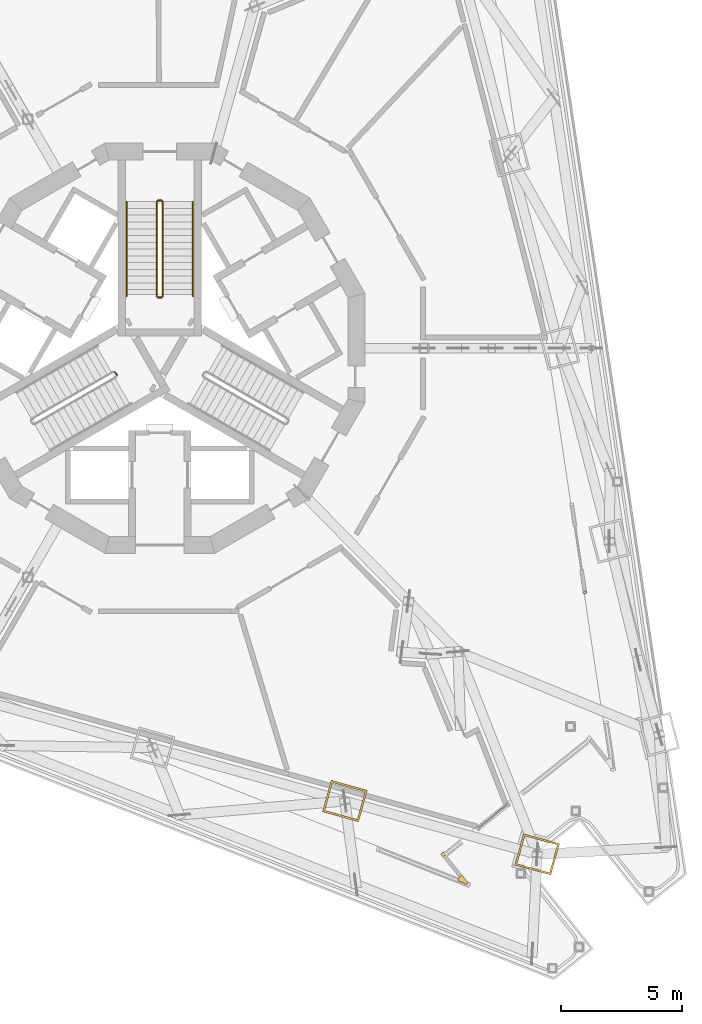
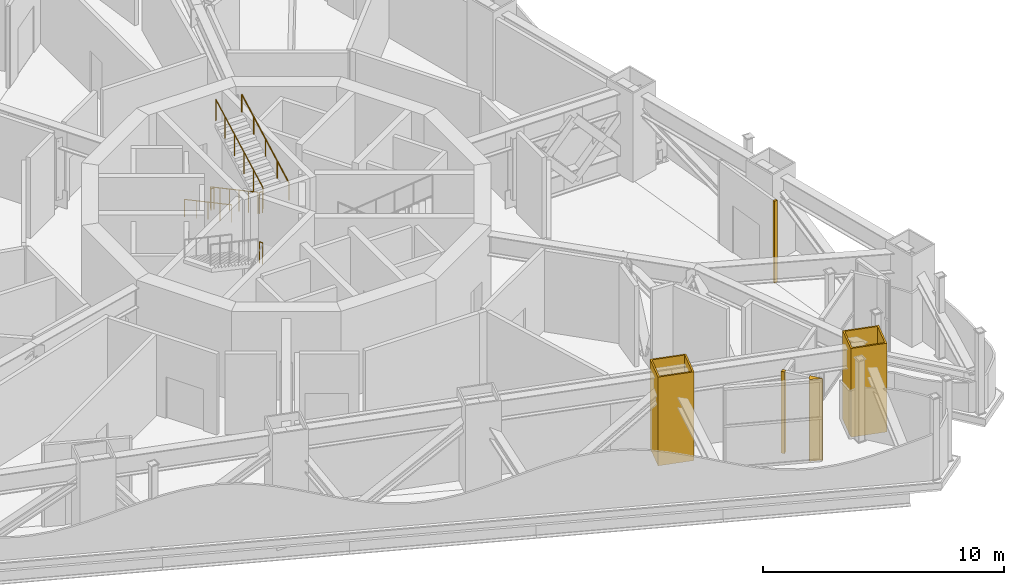
# One storey, part 23 of 27: 7 railings, 5 coverings.
"""IFC4 building model written with IfcOpenShell, lengths in metres."""

from ifc_helpers import new_model, si_unit, direction, frame, origin, origin_2d, place, context, subcontext, project, spatial, polyline, circle, outline, extrude, material, layer, layer_set, type_object, element, save


model = new_model("IFC4")

# Units and contexts
model_context = context("Model", 3, precision=1e-05, world=origin(), true_north=direction((0.0, 1.0)))
body_context = subcontext(model_context, "Body", "Model", "MODEL_VIEW")
ifc_project = project(units=[si_unit("LENGTHUNIT", "METRE"), si_unit("AREAUNIT", "SQUARE_METRE"), si_unit("VOLUMEUNIT", "CUBIC_METRE"), si_unit("PLANEANGLEUNIT", "RADIAN"), si_unit("MASSUNIT", "GRAM", prefix="KILO")], contexts=[model_context])

# Site, building, storey
site_placement = place(None, origin())
site = spatial("IfcSite", under=ifc_project, at=site_placement, CompositionType="ELEMENT")
building_placement = place(site_placement, origin())
building = spatial("IfcBuilding", under=site, at=building_placement, Name="Trine Commons Tower", CompositionType="ELEMENT")
storey_placement = place(building_placement, frame((0.0, 0.0, 230.39990234375)))
storey = spatial("IfcBuildingStorey", under=building, at=storey_placement, Name="L60", CompositionType="ELEMENT", Elevation=230.39990234375)

# Coverings
ifc_material_1 = material(Name="Aluminium-framed insulated wall panel", Category="aluminium")
ifc_layer_1 = layer(ifc_material_1, 0.14990234375)
ifc_layer_set_1 = layer_set([ifc_layer_1], Name="Aluminium-framed insulated wall panel")
covering_type_1 = type_object("IfcCoveringType", Name="Glazing corner post, aluminium", PredefinedType="CLADDING", material=ifc_layer_set_1)
covering_1_placement = place(storey_placement, origin())
element("IfcCovering", 1, at=covering_1_placement, inside=storey, type_object=covering_type_1, Name="Entrance wall jamb post F2 9B", PredefinedType="CLADDING", context=body_context, shape_type="SweptSolid", body=[
    extrude(outline(polyline([(97.6796875, 52.451904296875), (97.694580078125, 52.35302734375), (97.54638671875, 52.330810546875), (97.531494140625, 52.4296875), (97.6796875, 52.451904296875)])), origin(), (0.0, 0.0, 1.0), 4.150146484375),
])
covering_2_placement = place(storey_placement, origin())
element("IfcCovering", 2, at=covering_2_placement, inside=storey, type_object=covering_type_1, Name="Glazing corner post 6-08", PredefinedType="CLADDING", context=body_context, shape_type="SweptSolid", body=[
    extrude(outline(polyline([(91.726806640625, 41.42822265625), (91.843994140625, 41.521728515625), (91.750732421875, 41.63916015625), (91.63330078125, 41.545654296875), (91.726806640625, 41.42822265625)])), origin(), (0.0, 0.0, 1.0), 4.150146484375),
])
covering_3_placement = place(storey_placement, origin())
element("IfcCovering", 3, at=covering_3_placement, inside=storey, type_object=covering_type_1, Name="Glazing corner post 6-09", PredefinedType="CLADDING", context=body_context, shape_type="SweptSolid", body=[
    extrude(outline(polyline([(92.34765625, 40.439208984375), (92.868408203125, 40.23388671875), (92.52001953125, 40.672119140625), (92.402587890625, 40.57861328125), (92.34765625, 40.439208984375)])), origin(), (0.0, 0.0, 1.0), 4.150146484375),
])
ifc_material_2 = material(Name="Limestone, honed", Category="masonry")
ifc_layer_2 = layer(ifc_material_2, 0.074951171875)
ifc_layer_set_2 = layer_set([ifc_layer_2], Name="Limestone, honed")
covering_type_2 = type_object("IfcCoveringType", Name="Limestone column cladding 75", PredefinedType="CLADDING", material=ifc_layer_set_2)
covering_4_placement = place(storey_placement, origin())
element("IfcCovering", 4, at=covering_4_placement, inside=storey, type_object=covering_type_2, Name="Limestone pier cladding 7-01", PredefinedType="CLADDING", context=body_context, shape_type="SweptSolid", body=[
    extrude(outline(polyline([(95.0703125, 42.388427734375), (94.709716796875, 41.087646484375), (96.203125, 40.67333984375), (96.56396484375, 41.97412109375), (95.0703125, 42.388427734375)]), holes=[polyline([(95.12255859375, 42.296142578125), (94.802001953125, 41.139892578125), (96.15087890625, 40.765625), (96.4716796875, 41.922119140625), (95.12255859375, 42.296142578125)])]), origin(), (0.0, 0.0, 1.0), 4.5),
])
covering_5_placement = place(storey_placement, origin())
element("IfcCovering", 5, at=covering_5_placement, inside=storey, type_object=covering_type_2, Name="Limestone pier cladding 7-02", PredefinedType="CLADDING", context=body_context, shape_type="SweptSolid", body=[
    extrude(outline(polyline([(87.102294921875, 44.598388671875), (86.74169921875, 43.29736328125), (88.235107421875, 42.883056640625), (88.595947265625, 44.18408203125), (87.102294921875, 44.598388671875)]), holes=[polyline([(87.154541015625, 44.505859375), (86.833984375, 43.349609375), (88.18310546875, 42.9755859375), (88.503662109375, 44.1318359375), (87.154541015625, 44.505859375)])]), origin(), (0.0, 0.0, 1.0), 4.5),
])

# Railings
ifc_material_3 = material(Name="Stainless steel balustrade", Category="steel")
railing_type_1 = type_object("IfcRailingType", Name="Stair guard, steel balustrade 1100", PredefinedType="GUARDRAIL", material=ifc_material_3)
railing_1_placement = place(storey_placement, frame((79.875, 68.570556640625, 0.150146484375)))
element("IfcRailing", 6, at=railing_1_placement, inside=storey, type_object=railing_type_1, Name="L60 ST1C stair guard 1", PredefinedType="GUARDRAIL", context=body_context, shape_type="SweptSolid", body=[
    extrude(circle(Radius=0.02392578125, at=origin_2d()), frame((0.0, 0.0, 1.076171875), z_axis=(0.0, -0.881489763865, 0.472203130232), x_axis=(1.0, 0.0, 0.0)), (0.0, 0.0, 1.0), 4.447021484375),
    extrude(circle(Radius=0.02099609375, at=origin_2d()), origin(), (0.0, 0.0, 1.0), 1.052001953125),
    extrude(circle(Radius=0.02099609375, at=origin_2d()), frame((0.0, -0.783935546875, 0.419921875)), (0.0, 0.0, 1.0), 1.052001953125),
    extrude(circle(Radius=0.02099609375, at=origin_2d()), frame((0.0, -1.56787109375, 0.83984375)), (0.0, 0.0, 1.0), 1.052001953125),
    extrude(circle(Radius=0.02099609375, at=origin_2d()), frame((0.0, -2.35205078125, 1.260009765625)), (0.0, 0.0, 1.0), 1.052001953125),
    extrude(circle(Radius=0.02099609375, at=origin_2d()), frame((0.0, -3.135986328125, 1.679931640625)), (0.0, 0.0, 1.0), 1.052001953125),
    extrude(circle(Radius=0.02099609375, at=origin_2d()), frame((0.0, -3.919921875, 2.099853515625)), (0.0, 0.0, 1.0), 1.052001953125),
])
railing_2_placement = place(storey_placement, frame((79.925048828125, 64.6005859375, 2.25)))
element("IfcRailing", 7, at=railing_2_placement, inside=storey, type_object=railing_type_1, Name="L60 ST1C stair guard 2", PredefinedType="GUARDRAIL", context=body_context, shape_type="SweptSolid", body=[
    extrude(circle(Radius=0.02392578125, at=origin_2d()), frame((0.0, 0.0, 1.076171875), z_axis=(1.0, 0.0, 0.0), x_axis=(0.0, 1.0, 0.0)), (0.0, 0.0, 1.0), 0.14990234375),
    extrude(circle(Radius=0.02099609375, at=origin_2d()), origin(), (0.0, 0.0, 1.0), 1.052001953125),
    extrude(circle(Radius=0.02099609375, at=origin_2d()), frame((0.14990234375, 0.0, 0.0)), (0.0, 0.0, 1.0), 1.052001953125),
])
railing_3_placement = place(storey_placement, frame((80.125, 64.650634765625, 2.400146484375)))
element("IfcRailing", 8, at=railing_3_placement, inside=storey, type_object=railing_type_1, Name="L60 ST1C stair guard 3", PredefinedType="GUARDRAIL", context=body_context, shape_type="SweptSolid", body=[
    extrude(circle(Radius=0.02392578125, at=origin_2d()), frame((0.0, 0.0, 1.076171875), z_axis=(0.0, 0.881489763865, 0.472203130232), x_axis=(-1.0, 0.0, 0.0)), (0.0, 0.0, 1.0), 4.447021484375),
    extrude(circle(Radius=0.02099609375, at=origin_2d()), origin(), (0.0, 0.0, 1.0), 1.052001953125),
    extrude(circle(Radius=0.02099609375, at=origin_2d()), frame((0.0, 0.783935546875, 0.419921875)), (0.0, 0.0, 1.0), 1.052001953125),
    extrude(circle(Radius=0.02099609375, at=origin_2d()), frame((0.0, 1.56787109375, 0.83984375)), (0.0, 0.0, 1.0), 1.052001953125),
    extrude(circle(Radius=0.02099609375, at=origin_2d()), frame((0.0, 2.35205078125, 1.260009765625)), (0.0, 0.0, 1.0), 1.052001953125),
    extrude(circle(Radius=0.02099609375, at=origin_2d()), frame((0.0, 3.135986328125, 1.679931640625)), (0.0, 0.0, 1.0), 1.052001953125),
    extrude(circle(Radius=0.02099609375, at=origin_2d()), frame((0.0, 3.919921875, 2.099853515625)), (0.0, 0.0, 1.0), 1.052001953125),
])
railing_4_placement = place(storey_placement, frame((79.925048828125, 68.62060546875, 0.0)))
element("IfcRailing", 9, at=railing_4_placement, inside=storey, type_object=railing_type_1, Name="L60 ST1C stair guard 4", PredefinedType="GUARDRAIL", context=body_context, shape_type="SweptSolid", body=[
    extrude(circle(Radius=0.02392578125, at=origin_2d()), frame((0.0, 0.0, 1.076171875), z_axis=(1.0, 0.0, 0.0), x_axis=(0.0, 1.0, 0.0)), (0.0, 0.0, 1.0), 0.14990234375),
    extrude(circle(Radius=0.02099609375, at=origin_2d()), origin(), (0.0, 0.0, 1.0), 1.052001953125),
    extrude(circle(Radius=0.02099609375, at=origin_2d()), frame((0.14990234375, 0.0, 0.0)), (0.0, 0.0, 1.0), 1.052001953125),
])
railing_5_placement = place(storey_placement, frame((78.21826171875, 61.384765625, 2.25)))
element("IfcRailing", 10, at=railing_5_placement, inside=storey, type_object=railing_type_1, Name="L60 ST2C stair guard 2", PredefinedType="GUARDRAIL", context=body_context, shape_type="SweptSolid", body=[
    extrude(circle(Radius=0.02392578125, at=origin_2d()), frame((0.0, 0.0, 1.076171875), z_axis=(-0.499816412211, 0.866131372301, 0.0), x_axis=(-0.866131372301, -0.499816412211, 0.0)), (0.0, 0.0, 1.0), 0.14990234375),
    extrude(circle(Radius=0.02099609375, at=origin_2d()), origin(), (0.0, 0.0, 1.0), 1.052001953125),
    extrude(circle(Radius=0.02099609375, at=origin_2d()), frame((-0.074951171875, 0.1298828125, 0.0)), (0.0, 0.0, 1.0), 1.052001953125),
])
ifc_material_4 = material(Name="Stainless steel handrail", Category="steel")
railing_type_2 = type_object("IfcRailingType", Name="Stair handrail, steel 900", PredefinedType="HANDRAIL", material=ifc_material_4)
railing_6_placement = place(storey_placement, frame((78.625, 68.570556640625, 0.150146484375)))
element("IfcRailing", 11, at=railing_6_placement, inside=storey, type_object=railing_type_2, Name="L60 ST1C stair handrail 1", PredefinedType="HANDRAIL", context=body_context, shape_type="SweptSolid", body=[
    extrude(circle(Radius=0.02099609375, at=origin_2d()), frame((0.0, 0.0, 0.87890625), z_axis=(0.0, -0.881489763865, 0.472203130232), x_axis=(1.0, 0.0, 0.0)), (0.0, 0.0, 1.0), 4.447021484375),
    extrude(circle(Radius=0.01513671875, at=origin_2d()), origin(), (0.0, 0.0, 1.0), 0.85791015625),
    extrude(circle(Radius=0.01513671875, at=origin_2d()), frame((0.0, -0.97998046875, 0.52490234375)), (0.0, 0.0, 1.0), 0.85791015625),
    extrude(circle(Radius=0.01513671875, at=origin_2d()), frame((0.0, -1.9599609375, 1.0498046875)), (0.0, 0.0, 1.0), 0.85791015625),
    extrude(circle(Radius=0.01513671875, at=origin_2d()), frame((0.0, -2.93994140625, 1.574951171875)), (0.0, 0.0, 1.0), 0.85791015625),
    extrude(circle(Radius=0.01513671875, at=origin_2d()), frame((0.0, -3.919921875, 2.099853515625)), (0.0, 0.0, 1.0), 0.85791015625),
])
railing_7_placement = place(storey_placement, frame((81.375, 64.650634765625, 2.400146484375)))
element("IfcRailing", 12, at=railing_7_placement, inside=storey, type_object=railing_type_2, Name="L60 ST1C stair handrail 2", PredefinedType="HANDRAIL", context=body_context, shape_type="SweptSolid", body=[
    extrude(circle(Radius=0.02099609375, at=origin_2d()), frame((0.0, 0.0, 0.87890625), z_axis=(0.0, 0.881489763865, 0.472203130232), x_axis=(-1.0, 0.0, 0.0)), (0.0, 0.0, 1.0), 4.447021484375),
    extrude(circle(Radius=0.01513671875, at=origin_2d()), origin(), (0.0, 0.0, 1.0), 0.85791015625),
    extrude(circle(Radius=0.01513671875, at=origin_2d()), frame((0.0, 0.97998046875, 0.52490234375)), (0.0, 0.0, 1.0), 0.85791015625),
    extrude(circle(Radius=0.01513671875, at=origin_2d()), frame((0.0, 1.9599609375, 1.0498046875)), (0.0, 0.0, 1.0), 0.85791015625),
    extrude(circle(Radius=0.01513671875, at=origin_2d()), frame((0.0, 2.93994140625, 1.574951171875)), (0.0, 0.0, 1.0), 0.85791015625),
    extrude(circle(Radius=0.01513671875, at=origin_2d()), frame((0.0, 3.919921875, 2.099853515625)), (0.0, 0.0, 1.0), 0.85791015625),
])

save(model, "model.ifc")
